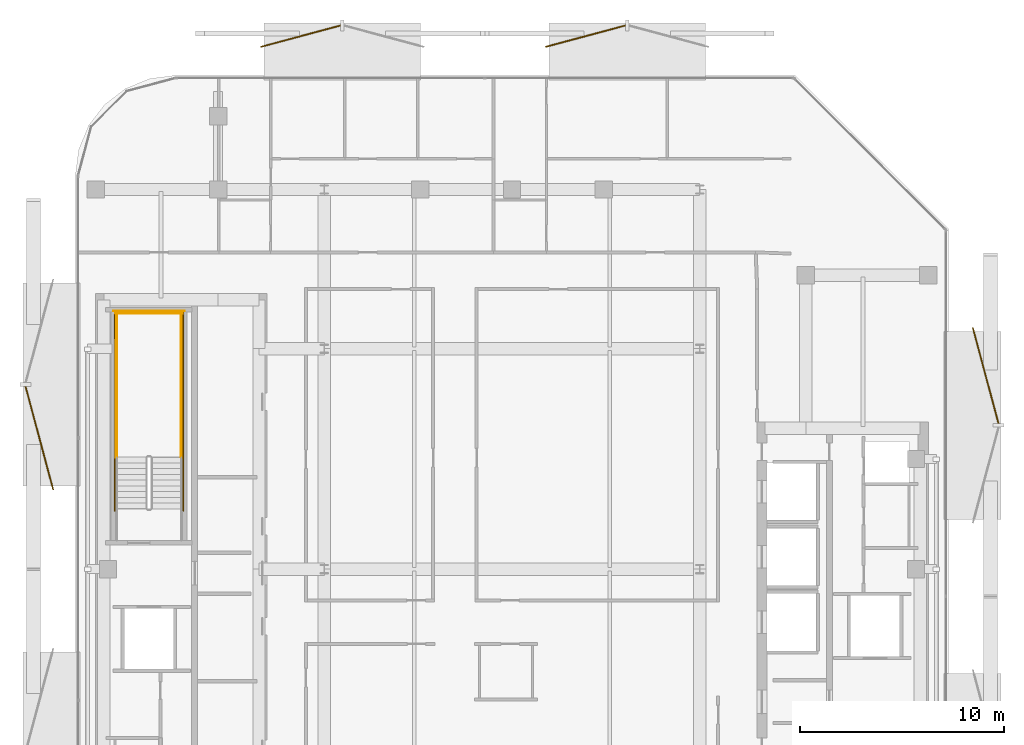
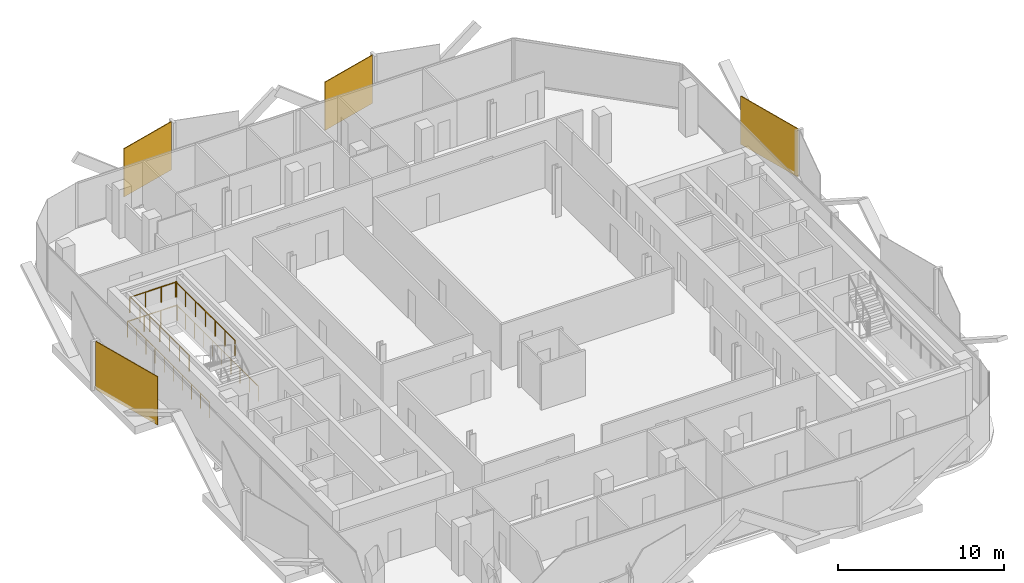
# One storey, part 15 of 15: 6 railings, 4 coverings.
"""IFC4 building model written with IfcOpenShell, lengths in metres."""

from ifc_helpers import new_model, si_unit, direction, frame, origin, origin_2d, place, context, subcontext, project, spatial, rectangle, circle, extrude, material, layer, layer_set, type_object, element, save


model = new_model("IFC4")

# Units and contexts
model_context = context("Model", 3, precision=1e-05, world=origin(), true_north=direction((0.0, 1.0)))
body_context = subcontext(model_context, "Body", "Model", "MODEL_VIEW")
ifc_project = project(units=[si_unit("LENGTHUNIT", "METRE"), si_unit("AREAUNIT", "SQUARE_METRE"), si_unit("VOLUMEUNIT", "CUBIC_METRE"), si_unit("PLANEANGLEUNIT", "RADIAN"), si_unit("MASSUNIT", "GRAM", prefix="KILO")], contexts=[model_context])

# Site, building, storey
site_placement = place(None, origin())
site = spatial("IfcSite", under=ifc_project, at=site_placement, CompositionType="ELEMENT")
building_placement = place(site_placement, origin())
building = spatial("IfcBuilding", under=site, at=building_placement, Name="Khairoan Windgate Tower", CompositionType="ELEMENT")
storey_placement = place(building_placement, frame((0.0, 0.0, 262.0)))
storey = spatial("IfcBuildingStorey", under=building, at=storey_placement, Name="L62", CompositionType="ELEMENT", Elevation=262.0)

# Coverings
ifc_material_1 = material(Name="Anodised Bronze Aluminium 6063-T6", Category="aluminium")
ifc_layer = layer(ifc_material_1, 0.054931640625, Name="Anodised Bronze Aluminium 6063-T6")
ifc_layer_set = layer_set([ifc_layer], Name="Anodised Bronze Aluminium 6063-T6")
covering_type = type_object("IfcCoveringType", Name="Perforated Bronze-Ceramic Folded Solar Screen Cladding BSC-1", PredefinedType="CLADDING", material=ifc_layer_set)
covering_1_placement = place(storey_placement, frame((-23.1611328125, 6.421875, -0.10009765625), z_axis=(0.0, 0.0, 1.0), x_axis=(-0.258819045103, 0.965925826289, 0.0)))
element("IfcCovering", 1, at=covering_1_placement, inside=storey, type_object=covering_type, Name="L62 Folded Bronze Solar Screen Facet 428L", PredefinedType="CLADDING", context=body_context, shape_type="SweptSolid", body=[
    extrude(rectangle(XDim=5.24609375, YDim=0.054931640625, at=origin_2d()), origin(), (0.0, 0.0, 1.0), 3.5400390625),
])
for number, where, z_axis, x_axis, name in (
    (2, (-10.357177734375, 26.1162109375, -0.10009765625), (0.0, 0.0, 1.0), (0.965925826289, 0.258819045103, 0.0), "L62 Folded Bronze Solar Screen Facet 429L"),
    (3, (3.59912109375, 26.1162109375, -0.10009765625), (0.0, 0.0, 1.0), (0.965925826289, 0.258819045103, 0.0), "L62 Folded Bronze Solar Screen Facet 430L"),
):
    element("IfcCovering", number, at=place(storey_placement, frame(where, z_axis=z_axis, x_axis=x_axis)), inside=storey, type_object=covering_type, Name=name, PredefinedType="CLADDING", context=body_context, shape_type="SweptSolid", body=[
        extrude(rectangle(XDim=4.047119140625, YDim=0.054931640625, at=origin_2d()), origin(), (0.0, 0.0, 1.0), 3.5400390625),
    ])
covering_2_placement = place(storey_placement, frame((23.211181640625, 9.48046875, -0.10009765625), z_axis=(0.0, 0.0, 1.0), x_axis=(0.258819045103, -0.965925826289, 0.0)))
element("IfcCovering", 4, at=covering_2_placement, inside=storey, type_object=covering_type, Name="L62 Folded Bronze Solar Screen Facet 431L", PredefinedType="CLADDING", context=body_context, shape_type="SweptSolid", body=[
    extrude(rectangle(XDim=4.85888671875, YDim=0.054931640625, at=origin_2d()), origin(), (0.0, 0.0, 1.0), 3.5400390625),
])

# Railings
ifc_material_2 = material(Name="Steel S355", Category="steel")
railing_type = type_object("IfcRailingType", Name="Stairwell Safety Guardrail SGR-1150", PredefinedType="GUARDRAIL", material=ifc_material_2)
for number, where, name in (
    (5, (-16.199951171875, 5.47998046875, 1.800048828125), "L62 ST2 stair guard 3"),
    (6, (-19.3701171875, 5.47998046875, 1.800048828125), "L62 ST2 stair guard 4"),
):
    element("IfcRailing", number, at=place(storey_placement, frame(where)), inside=storey, type_object=railing_type, Name=name, PredefinedType="GUARDRAIL", context=body_context, shape_type="SweptSolid", body=[
        extrude(circle(Radius=0.02392578125, at=origin_2d()), frame((0.0, 0.0, 1.1259765625), z_axis=(0.0, 1.0, 0.0), x_axis=(-1.0, 0.0, 0.0)), (0.0, 0.0, 1.0), 7.1201171875),
        extrude(circle(Radius=0.02099609375, at=origin_2d()), origin(), (0.0, 0.0, 1.0), 1.101806640625),
        extrude(circle(Radius=0.02099609375, at=origin_2d()), frame((0.0, 1.186767578125, 0.0)), (0.0, 0.0, 1.0), 1.101806640625),
        extrude(circle(Radius=0.02099609375, at=origin_2d()), frame((0.0, 2.373291015625, 0.0)), (0.0, 0.0, 1.0), 1.101806640625),
        extrude(circle(Radius=0.02099609375, at=origin_2d()), frame((0.0, 3.56005859375, 0.0)), (0.0, 0.0, 1.0), 1.101806640625),
        extrude(circle(Radius=0.02099609375, at=origin_2d()), frame((0.0, 4.746826171875, 0.0)), (0.0, 0.0, 1.0), 1.101806640625),
        extrude(circle(Radius=0.02099609375, at=origin_2d()), frame((0.0, 5.933349609375, 0.0)), (0.0, 0.0, 1.0), 1.101806640625),
        extrude(circle(Radius=0.02099609375, at=origin_2d()), frame((0.0, 7.1201171875, 0.0)), (0.0, 0.0, 1.0), 1.101806640625),
    ])
railing_1_placement = place(storey_placement, frame((-16.14990234375, 12.550048828125, 1.800048828125)))
element("IfcRailing", 7, at=railing_1_placement, inside=storey, type_object=railing_type, Name="L62 ST2 stair guard 5", PredefinedType="GUARDRAIL", context=body_context, shape_type="SweptSolid", body=[
    extrude(circle(Radius=0.02392578125, at=origin_2d()), frame((0.0, 0.0, 1.1259765625), z_axis=(-1.0, 0.0, 0.0), x_axis=(0.0, -1.0, 0.0)), (0.0, 0.0, 1.0), 3.27001953125),
    extrude(circle(Radius=0.02099609375, at=origin_2d()), origin(), (0.0, 0.0, 1.0), 1.101806640625),
    extrude(circle(Radius=0.02099609375, at=origin_2d()), frame((-1.090087890625, 0.0, 0.0)), (0.0, 0.0, 1.0), 1.101806640625),
    extrude(circle(Radius=0.02099609375, at=origin_2d()), frame((-2.179931640625, 0.0, 0.0)), (0.0, 0.0, 1.0), 1.101806640625),
    extrude(circle(Radius=0.02099609375, at=origin_2d()), frame((-3.27001953125, 0.0, 0.0)), (0.0, 0.0, 1.0), 1.101806640625),
])
for number, where, name in (
    (8, (-16.10009765625, 2.860107421875, 0.0), "L62 ST2 stair guard 10"),
    (9, (-19.469970703125, 2.860107421875, 0.0), "L62 ST2 stair guard 11"),
):
    element("IfcRailing", number, at=place(storey_placement, frame(where)), inside=storey, type_object=railing_type, Name=name, PredefinedType="GUARDRAIL", context=body_context, shape_type="SweptSolid", body=[
        extrude(circle(Radius=0.02392578125, at=origin_2d()), frame((0.0, 0.0, 1.1259765625), z_axis=(0.0, 1.0, 0.0), x_axis=(-1.0, 0.0, 0.0)), (0.0, 0.0, 1.0), 9.83984375),
        extrude(circle(Radius=0.02099609375, at=origin_2d()), origin(), (0.0, 0.0, 1.0), 1.101806640625),
        extrude(circle(Radius=0.02099609375, at=origin_2d()), frame((0.0, 1.09326171875, 0.0)), (0.0, 0.0, 1.0), 1.101806640625),
        extrude(circle(Radius=0.02099609375, at=origin_2d()), frame((0.0, 2.1865234375, 0.0)), (0.0, 0.0, 1.0), 1.101806640625),
        extrude(circle(Radius=0.02099609375, at=origin_2d()), frame((0.0, 3.280029296875, 0.0)), (0.0, 0.0, 1.0), 1.101806640625),
        extrude(circle(Radius=0.02099609375, at=origin_2d()), frame((0.0, 4.373291015625, 0.0)), (0.0, 0.0, 1.0), 1.101806640625),
        extrude(circle(Radius=0.02099609375, at=origin_2d()), frame((0.0, 5.466552734375, 0.0)), (0.0, 0.0, 1.0), 1.101806640625),
        extrude(circle(Radius=0.02099609375, at=origin_2d()), frame((0.0, 6.559814453125, 0.0)), (0.0, 0.0, 1.0), 1.101806640625),
        extrude(circle(Radius=0.02099609375, at=origin_2d()), frame((0.0, 7.6533203125, 0.0)), (0.0, 0.0, 1.0), 1.101806640625),
        extrude(circle(Radius=0.02099609375, at=origin_2d()), frame((0.0, 8.74658203125, 0.0)), (0.0, 0.0, 1.0), 1.101806640625),
        extrude(circle(Radius=0.02099609375, at=origin_2d()), frame((0.0, 9.83984375, 0.0)), (0.0, 0.0, 1.0), 1.101806640625),
    ])
railing_2_placement = place(storey_placement, frame((-16.050048828125, 12.64990234375, 0.0)))
element("IfcRailing", 10, at=railing_2_placement, inside=storey, type_object=railing_type, Name="L62 ST2 stair guard 12", PredefinedType="GUARDRAIL", context=body_context, shape_type="SweptSolid", body=[
    extrude(circle(Radius=0.02392578125, at=origin_2d()), frame((0.0, 0.0, 1.1259765625), z_axis=(-1.0, 0.0, 0.0), x_axis=(0.0, -1.0, 0.0)), (0.0, 0.0, 1.0), 3.469970703125),
    extrude(circle(Radius=0.02099609375, at=origin_2d()), origin(), (0.0, 0.0, 1.0), 1.101806640625),
    extrude(circle(Radius=0.02099609375, at=origin_2d()), frame((-1.15673828125, 0.0, 0.0)), (0.0, 0.0, 1.0), 1.101806640625),
    extrude(circle(Radius=0.02099609375, at=origin_2d()), frame((-2.313232421875, 0.0, 0.0)), (0.0, 0.0, 1.0), 1.101806640625),
    extrude(circle(Radius=0.02099609375, at=origin_2d()), frame((-3.469970703125, 0.0, 0.0)), (0.0, 0.0, 1.0), 1.101806640625),
])

save(model, "model.ifc")
